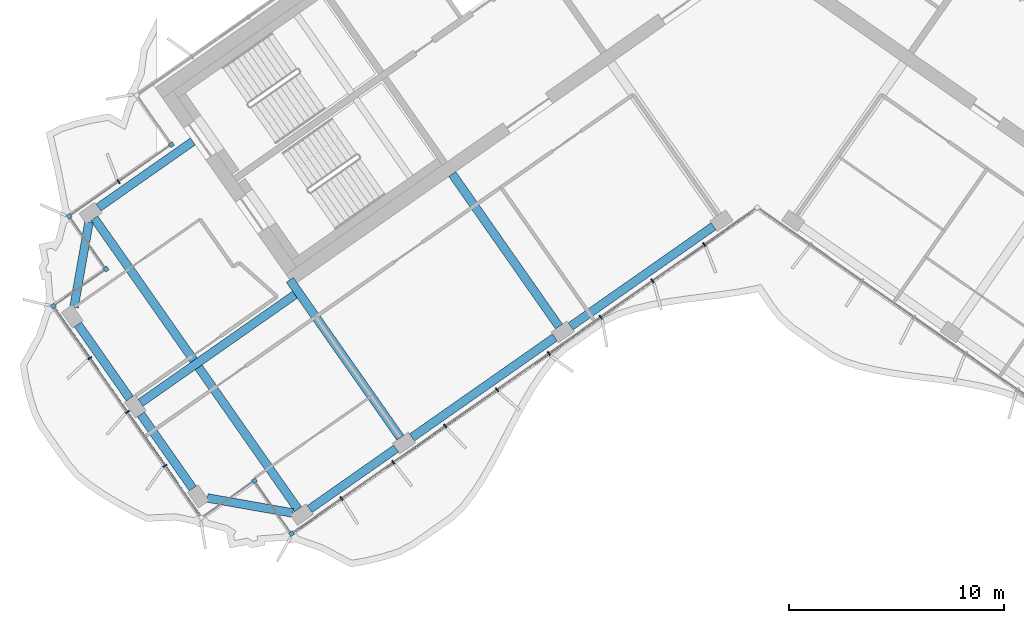
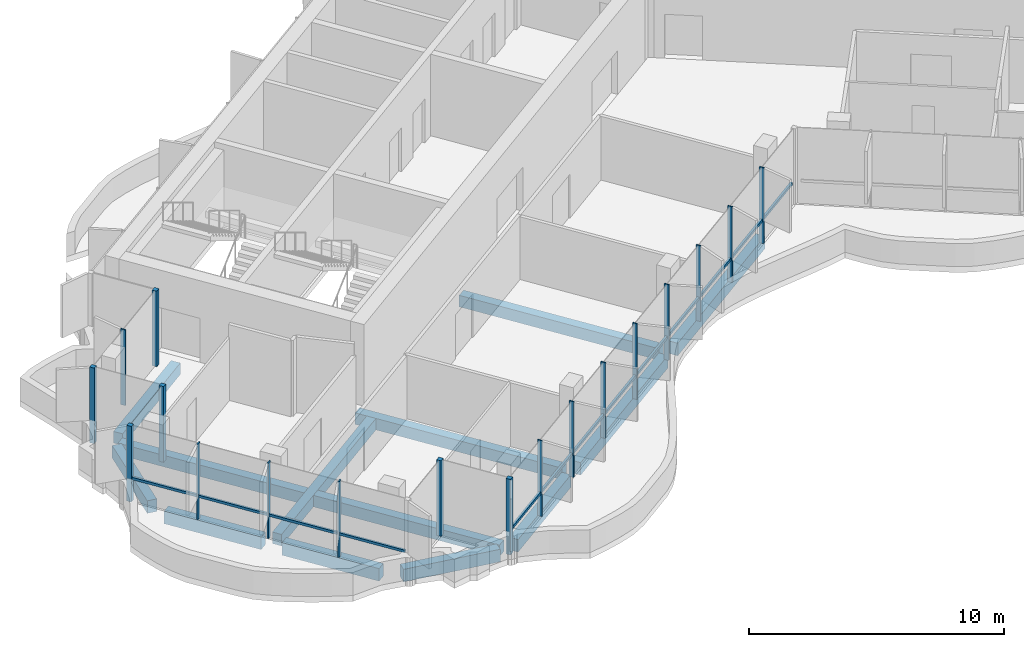
# One storey, part 2 of 18: 20 members, 12 beams, 2 elements without a shape of their own.
"""IFC4 building model written with IfcOpenShell, lengths in metres."""

import ifcopenshell
import ifcopenshell.guid

model = None  # the IFC model being written
_history = None  # IfcOwnerHistory: only IFC2X3 demands one
_inside = {}  # id of a spatial element -> (the spatial element, [elements in it])
_under = {}  # id of a project, library or spatial element -> (it, [spatial elements below it])
_declared = {}  # id of a project -> (the project, [libraries it declares])
_typed = {}  # id of a type object -> (the type object, [elements of that type])
_made_of = {}  # id of a material, layer set ... -> (it, [elements and type objects made of it])


def new_model(schema):
    """Start an empty IFC model of exactly this schema.

    Asked for "IFC4X3", IfcOpenShell would pick the latest addendum, in which some entities
    have other attributes; the version numbers below select the first issue.
    IFC2X3 requires an IfcOwnerHistory on every rooted entity: one is made here for all.
    """
    global model, _history
    if schema == "IFC4X3":
        model = ifcopenshell.file(schema_version=(4, 3, 0, 0))
    else:
        model = ifcopenshell.file(schema=schema)
    _inside.clear()
    _under.clear()
    _declared.clear()
    _typed.clear()
    _made_of.clear()
    _history = None
    if model.schema == "IFC2X3":
        org = make("IfcOrganization", Name="unknown")
        user = make(
            "IfcPersonAndOrganization",
            ThePerson=make("IfcPerson", FamilyName="unknown"),
            TheOrganization=org,
        )
        app = make(
            "IfcApplication",
            ApplicationDeveloper=org,
            Version="unknown",
            ApplicationFullName="unknown",
            ApplicationIdentifier="unknown",
        )
        _history = make(
            "IfcOwnerHistory",
            OwningUser=user,
            OwningApplication=app,
            ChangeAction="ADDED",
            CreationDate=0,
        )
    return model


def make(cls, **values):
    """One entity of the class cls with the attributes given. An attribute that is None is left unset."""
    return model.create_entity(
        cls, **{name: value for name, value in values.items() if value is not None}
    )


def rooted(cls, **values):
    """An entity with a GlobalId (a new one), such as an element, a storey or a relation."""
    return make(cls, GlobalId=ifcopenshell.guid.new(), OwnerHistory=_history, **values)


def si_unit(unit_type, name, prefix=None):
    """IfcSIUnit, for example si_unit("LENGTHUNIT", "METRE", prefix="MILLI")."""
    return make("IfcSIUnit", UnitType=unit_type, Prefix=prefix, Name=name)


def assignment(units):
    """IfcUnitAssignment: the units of a project."""
    return None if units is None else make("IfcUnitAssignment", Units=units)


def point(xyz):
    """IfcCartesianPoint."""
    return None if xyz is None else make("IfcCartesianPoint", Coordinates=xyz)


def direction(xyz):
    """IfcDirection."""
    return None if xyz is None else make("IfcDirection", DirectionRatios=xyz)


def frame(location, z_axis=None, x_axis=None):
    """IfcAxis2Placement3D, a coordinate frame: its origin and axes. An axis left out is left unset."""
    return make(
        "IfcAxis2Placement3D",
        Location=point(location),
        Axis=direction(z_axis),
        RefDirection=direction(x_axis),
    )


def frame_2d(location, x_axis=None):
    """IfcAxis2Placement2D, a coordinate frame in the plane: its origin and x axis."""
    return make(
        "IfcAxis2Placement2D", Location=point(location), RefDirection=direction(x_axis)
    )


def origin():
    """The frame at (0, 0, 0) with its axes left unset."""
    return frame((0.0, 0.0, 0.0))


def origin_2d():
    """The frame at (0, 0) in the plane with its x axis left unset."""
    return frame_2d((0.0, 0.0))


def place(relative_to, where):
    """IfcLocalPlacement: puts the frame where relative to a parent placement (None: the world)."""
    return make(
        "IfcLocalPlacement", PlacementRelTo=relative_to, RelativePlacement=where
    )


def context(
    kind, dimensions, precision=None, world=None, true_north=None, identifier=None
):
    """IfcGeometricRepresentationContext, for example the 3D "Model" context."""
    return make(
        "IfcGeometricRepresentationContext",
        ContextIdentifier=identifier,
        ContextType=kind,
        CoordinateSpaceDimension=dimensions,
        Precision=precision,
        WorldCoordinateSystem=world,
        TrueNorth=true_north,
    )


def subcontext(parent, identifier, kind, view, scale=None):
    """IfcGeometricRepresentationSubContext, for example "Body" below "Model"."""
    return make(
        "IfcGeometricRepresentationSubContext",
        ContextIdentifier=identifier,
        ContextType=kind,
        ParentContext=parent,
        TargetScale=scale,
        TargetView=view,
    )


def project(units=None, contexts=None):
    """IfcProject with its units and contexts."""
    return rooted(
        "IfcProject",
        Name="project",
        RepresentationContexts=contexts,
        UnitsInContext=assignment(units),
    )


def spatial(cls, under=None, at=None, **own):
    """A site, building, storey or space (cls), placed at a placement, below another one or the project."""
    s = rooted(cls, ObjectPlacement=at, **own)
    if under is not None:
        _under.setdefault(under.id(), (under, []))[1].append(s)
    return s


def profile(cls, at=None, kind="AREA", **sizes):
    """A parametric profile (cls). Its sizes go by their IFC names, for example OverallWidth=200.0."""
    return make(cls, ProfileType=kind, Position=at, **sizes)


def rectangle(**sizes):
    """IfcRectangleProfileDef."""
    return profile("IfcRectangleProfileDef", **sizes)


def extrude(swept, where, along, depth):
    """IfcExtrudedAreaSolid: the profile swept, set in the frame where, extruded along a direction by depth."""
    return make(
        "IfcExtrudedAreaSolid",
        SweptArea=swept,
        Position=where,
        ExtrudedDirection=direction(along),
        Depth=depth,
    )


def shape(context_of_items, identifier, shape_type, items):
    """IfcShapeRepresentation: the items that make up one representation, for example the "Body"."""
    return make(
        "IfcShapeRepresentation",
        ContextOfItems=context_of_items,
        RepresentationIdentifier=identifier,
        RepresentationType=shape_type,
        Items=items,
    )


def material(Name=None, Category=None):
    """IfcMaterial."""
    return make("IfcMaterial", Name=Name, Category=Category)


def material_profile(
    of_material, cross_section, Name=None, Category=None, Priority=None
):
    """IfcMaterialProfile: a cross section and its material."""
    return make(
        "IfcMaterialProfile",
        Name=Name,
        Material=of_material,
        Profile=cross_section,
        Priority=Priority,
        Category=Category,
    )


def profile_set(profiles, Name=None, composite=None):
    """IfcMaterialProfileSet."""
    return make(
        "IfcMaterialProfileSet",
        Name=Name,
        MaterialProfiles=profiles,
        CompositeProfile=composite,
    )


def made_of(thing, what):
    """Note that an element or type object is made of a material, layer set ...; save() writes the relation."""
    if what is not None:
        _made_of.setdefault(what.id(), (what, []))[1].append(thing)
    return thing


def type_object(cls, material=None, **own):
    """A type object (cls), such as IfcWallType, which elements share."""
    return made_of(rooted(cls, **own), material)


def element(
    cls,
    number,
    at=None,
    inside=None,
    cuts=None,
    type_object=None,
    material=None,
    context=None,
    identifier="Body",
    shape_type=None,
    held_by="IfcProductDefinitionShape",
    body=None,
    shapes=None,
    **own,
):
    """One element of the class cls, such as IfcWall. Its Tag is "e" and its number.

    at: its placement. inside: the storey or other place that contains it. cuts: it is an
    opening in that element (IfcRelVoidsElement). A single representation is given by context,
    identifier, shape_type and body (its items); several are given by shapes. held_by: the class
    of the entity that holds the representations. save() writes the other relations.
    """
    e = rooted(cls, Tag="e%d" % number, ObjectPlacement=at, **own)
    if body is not None:
        shapes = [shape(context, identifier, shape_type, body)]
    if shapes is not None:
        e.Representation = make(held_by, Representations=shapes)
    if inside is not None:
        _inside.setdefault(inside.id(), (inside, []))[1].append(e)
    if cuts is not None:
        rooted(
            "IfcRelVoidsElement", RelatingBuildingElement=cuts, RelatedOpeningElement=e
        )
    if type_object is not None:
        _typed.setdefault(type_object.id(), (type_object, []))[1].append(e)
    return made_of(e, material)


def aggregate(whole, parts):
    """IfcRelAggregates: a whole, such as a stair, and the parts it consists of."""
    return rooted("IfcRelAggregates", RelatingObject=whole, RelatedObjects=parts)


def save(model, path):
    """Write the relations noted so far, then the file.

    IfcRelAggregates (storeys below a building ...), IfcRelContainedInSpatialStructure (elements
    in a storey), IfcRelDefinesByType, IfcRelAssociatesMaterial and IfcRelDeclares: one each for
    every whole, place, type object, material and project.
    """
    for whole, parts in _under.values():
        aggregate(whole, parts)
    for where, things in _inside.values():
        rooted(
            "IfcRelContainedInSpatialStructure",
            RelatedElements=things,
            RelatingStructure=where,
        )
    for kind, things in _typed.values():
        rooted("IfcRelDefinesByType", RelatedObjects=things, RelatingType=kind)
    for what, things in _made_of.values():
        rooted("IfcRelAssociatesMaterial", RelatedObjects=things, RelatingMaterial=what)
    for by, libraries in _declared.values():
        rooted("IfcRelDeclares", RelatingContext=by, RelatedDefinitions=libraries)
    model.write(path)


model = new_model("IFC4")

# Units and contexts
model_context = context("Model", 3, precision=1e-05, world=origin(), true_north=direction((0.0, 1.0)))
body_context = subcontext(model_context, "Body", "Model", "MODEL_VIEW")
ifc_project = project(units=[si_unit("LENGTHUNIT", "METRE"), si_unit("AREAUNIT", "SQUARE_METRE"), si_unit("VOLUMEUNIT", "CUBIC_METRE"), si_unit("PLANEANGLEUNIT", "RADIAN"), si_unit("MASSUNIT", "GRAM", prefix="KILO")], contexts=[model_context])

# Site, building, storey
site_placement = place(None, origin())
site = spatial("IfcSite", under=ifc_project, at=site_placement, CompositionType="ELEMENT")
building_placement = place(site_placement, origin())
building = spatial("IfcBuilding", under=site, at=building_placement, Name="Tel Ilan Convention Tower", CompositionType="ELEMENT")
storey_placement = place(building_placement, frame((0.0, 0.0, 256.60009765625)))
storey = spatial("IfcBuildingStorey", under=building, at=storey_placement, Name="L60", CompositionType="ELEMENT", Elevation=256.60009765625)

# Beams
ifc_material_1 = material(Name="Concrete C40/50", Category="concrete")
ifc_material_profile_1 = material_profile(ifc_material_1, rectangle(XDim=0.39990234375, YDim=0.550048828125, at=origin_2d()), Name="RC 400x550")
ifc_profile_set_1 = profile_set([ifc_material_profile_1], Name="Concrete C40/50")
beam_type_1 = type_object("IfcBeamType", Name="Beam RC 400x550 Concrete C40/50", PredefinedType="BEAM", material=ifc_profile_set_1)
beam_1_placement = place(storey_placement, frame((-30.6005859375, -12.6982421875, -0.55517578125), z_axis=(0.819146154531, 0.573584847705, 0.0), x_axis=(-0.573584847705, 0.819146154531, 0.0)))
element("IfcBeam", 1, at=beam_1_placement, inside=storey, type_object=beam_type_1, Name="L60 beam W-W-BC-core", PredefinedType="BEAM", context=body_context, shape_type="SweptSolid", body=[
    extrude(rectangle(XDim=0.39990234375, YDim=0.550048828125, at=origin_2d()), origin(), (0.0, 0.0, 1.0), 5.349853515625),
])
beam_2_placement = place(storey_placement, frame((-9.209716796875, -18.229248046875, -0.55517578125), z_axis=(-0.573574099654, 0.819153680457, 0.0), x_axis=(-0.819153680457, -0.573574099654, 0.0)))
element("IfcBeam", 2, at=beam_2_placement, inside=storey, type_object=beam_type_1, Name="L60 beam W-W-F2-core", PredefinedType="BEAM", context=body_context, shape_type="SweptSolid", body=[
    extrude(rectangle(XDim=0.39990234375, YDim=0.550048828125, at=origin_2d()), origin(), (0.0, 0.0, 1.0), 8.64990234375),
])
beam_3_placement = place(storey_placement, frame((-16.58203125, -23.391357421875, -0.55517578125), z_axis=(-0.573584999642, 0.819146048141, 0.0), x_axis=(-0.819146048141, -0.573584999642, 0.0)))
element("IfcBeam", 3, at=beam_3_placement, inside=storey, type_object=beam_type_1, Name="L60 beam W-W-F3-core", PredefinedType="BEAM", context=body_context, shape_type="SweptSolid", body=[
    extrude(rectangle(XDim=0.39990234375, YDim=0.550048828125, at=origin_2d()), origin(), (0.0, 0.0, 1.0), 8.949951171875),
])
beam_4_placement = place(storey_placement, frame((-21.477783203125, -16.748046875, -0.55517578125), z_axis=(-0.819157197737, -0.573569076395, 0.0), x_axis=(0.573569076395, -0.819157197737, 0.0)))
element("IfcBeam", 4, at=beam_4_placement, inside=storey, type_object=beam_type_1, Name="L60 beam W-core-end", PredefinedType="BEAM", context=body_context, shape_type="SweptSolid", body=[
    extrude(rectangle(XDim=0.39990234375, YDim=0.550048828125, at=origin_2d()), origin(), (0.0, 0.0, 1.0), 8.75),
])
beam_5_placement = place(storey_placement, frame((-21.333251953125, -26.718017578125, -0.55517578125), z_axis=(-0.573574554643, 0.819153361872, 0.0), x_axis=(-0.819153361872, -0.573574554643, 0.0)))
element("IfcBeam", 5, at=beam_5_placement, inside=storey, type_object=beam_type_1, Name="L60 beam W-W-FC-W-BC", PredefinedType="BEAM", context=body_context, shape_type="SweptSolid", body=[
    extrude(rectangle(XDim=0.39990234375, YDim=0.550048828125, at=origin_2d()), origin(), (0.0, 0.0, 1.0), 16.499755859375),
])
ifc_material_2 = material(Name="Concrete C40/50", Category="concrete")
ifc_material_profile_2 = material_profile(ifc_material_2, rectangle(XDim=0.39990234375, YDim=0.60009765625, at=origin_2d()), Name="RC 400x600")
ifc_profile_set_2 = profile_set([ifc_material_profile_2], Name="Concrete C40/50")
beam_type_2 = type_object("IfcBeamType", Name="Beam RC 400x600 Concrete C40/50", PredefinedType="BEAM", material=ifc_profile_set_2)
beam_6_placement = place(storey_placement, frame((-2.033935546875, -13.57080078125, -0.580078125), z_axis=(-0.81914553362, -0.573585734437, 0.0), x_axis=(0.573585734437, -0.81914553362, 0.0)))
element("IfcBeam", 6, at=beam_6_placement, inside=storey, type_object=beam_type_2, Name="L60 beam W-W-F1-W-F2", PredefinedType="BEAM", context=body_context, shape_type="SweptSolid", body=[
    extrude(rectangle(XDim=0.39990234375, YDim=0.60009765625, at=origin_2d()), origin(), (0.0, 0.0, 1.0), 8.099853515625),
])
beam_7_placement = place(storey_placement, frame((-9.40625, -18.73291015625, -0.580078125), z_axis=(-0.819155449703, -0.573571572885, 0.0), x_axis=(0.573571572885, -0.819155449703, 0.0)))
element("IfcBeam", 7, at=beam_7_placement, inside=storey, type_object=beam_type_2, Name="L60 beam W-W-F2-W-F3", PredefinedType="BEAM", context=body_context, shape_type="SweptSolid", body=[
    extrude(rectangle(XDim=0.39990234375, YDim=0.60009765625, at=origin_2d()), origin(), (0.0, 0.0, 1.0), 8.10009765625),
])
beam_8_placement = place(storey_placement, frame((-16.778564453125, -23.895263671875, -0.580078125), z_axis=(-0.819154669329, -0.573572687386, 0.0), x_axis=(0.573572687386, -0.819154669329, 0.0)))
element("IfcBeam", 8, at=beam_8_placement, inside=storey, type_object=beam_type_2, Name="L60 beam W-W-F3-W-FC", PredefinedType="BEAM", context=body_context, shape_type="SweptSolid", body=[
    extrude(rectangle(XDim=0.39990234375, YDim=0.60009765625, at=origin_2d()), origin(), (0.0, 0.0, 1.0), 4.900146484375),
])
beam_9_placement = place(storey_placement, frame((-21.578857421875, -26.89013671875, -0.580078125), z_axis=(-0.984804894423, 0.173664388751, 0.0), x_axis=(-0.173664388751, -0.984804894423, 0.0)))
element("IfcBeam", 9, at=beam_9_placement, inside=storey, type_object=beam_type_2, Name="L60 beam W-W-FC-W-E1", PredefinedType="BEAM", context=body_context, shape_type="SweptSolid", body=[
    extrude(rectangle(XDim=0.39990234375, YDim=0.60009765625, at=origin_2d()), origin(), (0.0, 0.0, 1.0), 4.030517578125),
])
for number, where, z_axis, x_axis, name in (
    (10, (-26.22412109375, -25.748046875, -0.580078125), (-0.573563773994, 0.819160910421, 0.0), (-0.819160910421, -0.573563773994, 0.0), "L60 beam W-W-E1-W-E2"),
    (11, (-29.1494140625, -21.5703125, -0.580078125), (-0.573563773994, 0.819160910421, 0.0), (-0.819160910421, -0.573563773994, 0.0), "L60 beam W-W-E2-W-E3"),
):
    element("IfcBeam", number, at=place(storey_placement, frame(where, z_axis=z_axis, x_axis=x_axis)), inside=storey, type_object=beam_type_2, Name=name, PredefinedType="BEAM", context=body_context, shape_type="SweptSolid", body=[
        extrude(rectangle(XDim=0.39990234375, YDim=0.60009765625, at=origin_2d()), origin(), (0.0, 0.0, 1.0), 4.199951171875),
    ])
beam_10_placement = place(storey_placement, frame((-31.742919921875, -17.343505859375, -0.580078125), z_axis=(0.173664388751, 0.984804894423, 0.0), x_axis=(-0.984804894423, 0.173664388751, 0.0)))
element("IfcBeam", 12, at=beam_10_placement, inside=storey, type_object=beam_type_2, Name="L60 beam W-W-E3-W-BC", PredefinedType="BEAM", context=body_context, shape_type="SweptSolid", body=[
    extrude(rectangle(XDim=0.39990234375, YDim=0.60009765625, at=origin_2d()), origin(), (0.0, 0.0, 1.0), 4.030517578125),
])

# Curtain wall, member
ifc_material_3 = material(Name="Aluminium, bronze anodised", Category="aluminium")
curtain_wall_type_1 = type_object("IfcCurtainWallType", Name="CW2 STICK CURTAIN WALL, SPANDREL PANELS", PredefinedType="NOTDEFINED", material=ifc_material_3)
curtain_wall_1_placement = place(storey_placement, origin())
curtain_wall_1 = element("IfcCurtainWall", 13, at=curtain_wall_1_placement, inside=storey, type_object=curtain_wall_type_1, Name="Curtain wall CW2-46.01", PredefinedType="NOTDEFINED")
ifc_material_4 = material(Name="Aluminium, bronze anodised", Category="aluminium")
ifc_material_profile_3 = material_profile(ifc_material_4, rectangle(XDim=0.199951171875, YDim=0.199951171875, at=origin_2d()), Name="CW CORNER MULLION 200x200")
ifc_profile_set_3 = profile_set([ifc_material_profile_3], Name="Aluminium, bronze anodised")
member_type_1 = type_object("IfcMemberType", Name="CW CORNER MULLION 200x200", PredefinedType="MULLION", material=ifc_profile_set_3)
member_1_placement = place(storey_placement, frame((-27.213623046875, -9.77734375, 0.0), z_axis=(0.0, 0.0, 1.0), x_axis=(0.573576436351, -0.819152044289, 0.0)))
member_1 = element("IfcMember", 14, at=member_1_placement, type_object=member_type_1, Name="Corner mullion", PredefinedType="MULLION", context=body_context, shape_type="SweptSolid", body=[
    extrude(rectangle(XDim=0.199951171875, YDim=0.199951171875, at=origin_2d()), origin(), (0.0, 0.0, 1.0), 3.619873046875),
])
aggregate(curtain_wall_1, [member_1])

# Curtain wall, members
ifc_material_5 = material(Name="Aluminium, bronze anodised", Category="aluminium")
curtain_wall_type_2 = type_object("IfcCurtainWallType", Name="CW5 STICK CURTAIN WALL, UPPER OFFICE LOW-IRON TINTED GLASS", PredefinedType="NOTDEFINED", material=ifc_material_5)
curtain_wall_2_placement = place(storey_placement, origin())
curtain_wall_2 = element("IfcCurtainWall", 15, at=curtain_wall_2_placement, inside=storey, type_object=curtain_wall_type_2, Name="Curtain wall CW5-46.02", PredefinedType="NOTDEFINED")
member_2_placement = place(storey_placement, frame((-31.964599609375, -13.10400390625, 0.0), z_axis=(0.0, 0.0, 1.0), x_axis=(-0.819152044289, -0.573576436351, 0.0)))
member_2 = element("IfcMember", 16, at=member_2_placement, type_object=member_type_1, Name="Corner mullion", PredefinedType="MULLION", context=body_context, shape_type="SweptSolid", body=[
    extrude(rectangle(XDim=0.199951171875, YDim=0.199951171875, at=origin_2d()), origin(), (0.0, 0.0, 1.0), 3.619873046875),
])
member_3_placement = place(storey_placement, frame((-30.243896484375, -15.5615234375, 0.0), z_axis=(0.0, 0.0, 1.0), x_axis=(0.573576436351, -0.819152044289, 0.0)))
member_3 = element("IfcMember", 17, at=member_3_placement, type_object=member_type_1, Name="Corner mullion", PredefinedType="MULLION", context=body_context, shape_type="SweptSolid", body=[
    extrude(rectangle(XDim=0.199951171875, YDim=0.199951171875, at=origin_2d()), origin(), (0.0, 0.0, 1.0), 3.619873046875),
])
member_4_placement = place(storey_placement, frame((-32.701416015625, -17.2822265625, 0.0), z_axis=(0.0, 0.0, 1.0), x_axis=(-0.819152044289, -0.573576436351, 0.0)))
member_4 = element("IfcMember", 18, at=member_4_placement, type_object=member_type_1, Name="Corner mullion", PredefinedType="MULLION", context=body_context, shape_type="SweptSolid", body=[
    extrude(rectangle(XDim=0.199951171875, YDim=0.199951171875, at=origin_2d()), origin(), (0.0, 0.0, 1.0), 3.619873046875),
])
member_5_placement = place(storey_placement, frame((-23.36083984375, -25.391357421875, 0.0), z_axis=(0.0, 0.0, 1.0), x_axis=(0.819152044289, 0.573576436351, 0.0)))
member_5 = element("IfcMember", 19, at=member_5_placement, type_object=member_type_1, Name="Corner mullion", PredefinedType="MULLION", context=body_context, shape_type="SweptSolid", body=[
    extrude(rectangle(XDim=0.199951171875, YDim=0.199951171875, at=origin_2d()), origin(), (0.0, 0.0, 1.0), 3.619873046875),
])
member_6_placement = place(storey_placement, frame((-21.64013671875, -27.8486328125, 0.0), z_axis=(0.0, 0.0, 1.0), x_axis=(0.573576436351, -0.819152044289, 0.0)))
member_6 = element("IfcMember", 20, at=member_6_placement, type_object=member_type_1, Name="Corner mullion", PredefinedType="MULLION", context=body_context, shape_type="SweptSolid", body=[
    extrude(rectangle(XDim=0.199951171875, YDim=0.199951171875, at=origin_2d()), origin(), (0.0, 0.0, 1.0), 3.619873046875),
])
ifc_material_6 = material(Name="Aluminium, bronze anodised", Category="aluminium")
ifc_material_profile_4 = material_profile(ifc_material_6, rectangle(XDim=0.06005859375, YDim=0.199951171875, at=origin_2d()), Name="CW MULLION 60x200")
ifc_profile_set_4 = profile_set([ifc_material_profile_4], Name="Aluminium, bronze anodised")
member_type_2 = type_object("IfcMemberType", Name="CW MULLION 60x200", PredefinedType="MULLION", material=ifc_profile_set_4)
member_7_placement = place(storey_placement, frame((-29.6708984375, -11.498046875, 0.0), z_axis=(0.0, 0.0, 1.0), x_axis=(-0.819152044289, -0.573576436351, 0.0)))
member_7 = element("IfcMember", 21, at=member_7_placement, type_object=member_type_2, Name="Mullion", PredefinedType="MULLION", context=body_context, shape_type="SweptSolid", body=[
    extrude(rectangle(XDim=0.06005859375, YDim=0.199951171875, at=origin_2d()), origin(), (0.0, 0.0, 1.0), 3.619873046875),
])
member_8_placement = place(storey_placement, frame((-31.00927734375, -19.69873046875, 0.0), z_axis=(0.0, 0.0, 1.0), x_axis=(0.573576436351, -0.819152044289, 0.0)))
member_8 = element("IfcMember", 22, at=member_8_placement, type_object=member_type_2, Name="Mullion", PredefinedType="MULLION", context=body_context, shape_type="SweptSolid", body=[
    extrude(rectangle(XDim=0.06005859375, YDim=0.199951171875, at=origin_2d()), origin(), (0.0, 0.0, 1.0), 3.619873046875),
])
member_9_placement = place(storey_placement, frame((-29.259765625, -22.197021484375, 0.0), z_axis=(0.0, 0.0, 1.0), x_axis=(0.573576436351, -0.819152044289, 0.0)))
member_9 = element("IfcMember", 23, at=member_9_placement, type_object=member_type_2, Name="Mullion", PredefinedType="MULLION", context=body_context, shape_type="SweptSolid", body=[
    extrude(rectangle(XDim=0.06005859375, YDim=0.199951171875, at=origin_2d()), origin(), (0.0, 0.0, 1.0), 3.619873046875),
])
member_10_placement = place(storey_placement, frame((-27.510498046875, -24.695556640625, 0.0), z_axis=(0.0, 0.0, 1.0), x_axis=(0.573576436351, -0.819152044289, 0.0)))
member_10 = element("IfcMember", 24, at=member_10_placement, type_object=member_type_2, Name="Mullion", PredefinedType="MULLION", context=body_context, shape_type="SweptSolid", body=[
    extrude(rectangle(XDim=0.06005859375, YDim=0.199951171875, at=origin_2d()), origin(), (0.0, 0.0, 1.0), 3.619873046875),
])
member_11_placement = place(storey_placement, frame((-19.31494140625, -26.220458984375, 0.0), z_axis=(0.0, 0.0, 1.0), x_axis=(0.819152044289, 0.573576436351, 0.0)))
member_11 = element("IfcMember", 25, at=member_11_placement, type_object=member_type_2, Name="Mullion", PredefinedType="MULLION", context=body_context, shape_type="SweptSolid", body=[
    extrude(rectangle(XDim=0.06005859375, YDim=0.199951171875, at=origin_2d()), origin(), (0.0, 0.0, 1.0), 3.619873046875),
])
member_12_placement = place(storey_placement, frame((-16.90771484375, -24.534912109375, 0.0), z_axis=(0.0, 0.0, 1.0), x_axis=(0.819152044289, 0.573576436351, 0.0)))
member_12 = element("IfcMember", 26, at=member_12_placement, type_object=member_type_2, Name="Mullion", PredefinedType="MULLION", context=body_context, shape_type="SweptSolid", body=[
    extrude(rectangle(XDim=0.06005859375, YDim=0.199951171875, at=origin_2d()), origin(), (0.0, 0.0, 1.0), 3.619873046875),
])
member_13_placement = place(storey_placement, frame((-14.50048828125, -22.849365234375, 0.0), z_axis=(0.0, 0.0, 1.0), x_axis=(0.819152044289, 0.573576436351, 0.0)))
member_13 = element("IfcMember", 27, at=member_13_placement, type_object=member_type_2, Name="Mullion", PredefinedType="MULLION", context=body_context, shape_type="SweptSolid", body=[
    extrude(rectangle(XDim=0.06005859375, YDim=0.199951171875, at=origin_2d()), origin(), (0.0, 0.0, 1.0), 3.619873046875),
])
member_14_placement = place(storey_placement, frame((-12.09326171875, -21.163818359375, 0.0), z_axis=(0.0, 0.0, 1.0), x_axis=(0.819152044289, 0.573576436351, 0.0)))
member_14 = element("IfcMember", 28, at=member_14_placement, type_object=member_type_2, Name="Mullion", PredefinedType="MULLION", context=body_context, shape_type="SweptSolid", body=[
    extrude(rectangle(XDim=0.06005859375, YDim=0.199951171875, at=origin_2d()), origin(), (0.0, 0.0, 1.0), 3.619873046875),
])
member_15_placement = place(storey_placement, frame((-9.68603515625, -19.478271484375, 0.0), z_axis=(0.0, 0.0, 1.0), x_axis=(0.819152044289, 0.573576436351, 0.0)))
member_15 = element("IfcMember", 29, at=member_15_placement, type_object=member_type_2, Name="Mullion", PredefinedType="MULLION", context=body_context, shape_type="SweptSolid", body=[
    extrude(rectangle(XDim=0.06005859375, YDim=0.199951171875, at=origin_2d()), origin(), (0.0, 0.0, 1.0), 3.619873046875),
])
member_16_placement = place(storey_placement, frame((-7.279052734375, -17.792724609375, 0.0), z_axis=(0.0, 0.0, 1.0), x_axis=(0.819152044289, 0.573576436351, 0.0)))
member_16 = element("IfcMember", 30, at=member_16_placement, type_object=member_type_2, Name="Mullion", PredefinedType="MULLION", context=body_context, shape_type="SweptSolid", body=[
    extrude(rectangle(XDim=0.06005859375, YDim=0.199951171875, at=origin_2d()), origin(), (0.0, 0.0, 1.0), 3.619873046875),
])
member_17_placement = place(storey_placement, frame((-4.871826171875, -16.107177734375, 0.0), z_axis=(0.0, 0.0, 1.0), x_axis=(0.819152044289, 0.573576436351, 0.0)))
member_17 = element("IfcMember", 31, at=member_17_placement, type_object=member_type_2, Name="Mullion", PredefinedType="MULLION", context=body_context, shape_type="SweptSolid", body=[
    extrude(rectangle(XDim=0.06005859375, YDim=0.199951171875, at=origin_2d()), origin(), (0.0, 0.0, 1.0), 3.619873046875),
])
member_18_placement = place(storey_placement, frame((-2.464599609375, -14.421875, 0.0), z_axis=(0.0, 0.0, 1.0), x_axis=(0.819152044289, 0.573576436351, 0.0)))
member_18 = element("IfcMember", 32, at=member_18_placement, type_object=member_type_2, Name="Mullion", PredefinedType="MULLION", context=body_context, shape_type="SweptSolid", body=[
    extrude(rectangle(XDim=0.06005859375, YDim=0.199951171875, at=origin_2d()), origin(), (0.0, 0.0, 1.0), 3.619873046875),
])
ifc_material_7 = material(Name="Aluminium, bronze anodised", Category="aluminium")
ifc_material_profile_5 = material_profile(ifc_material_7, rectangle(XDim=0.10009765625, YDim=0.1201171875, at=origin_2d()), Name="CW TRANSOM 100x120")
ifc_profile_set_5 = profile_set([ifc_material_profile_5], Name="Aluminium, bronze anodised")
member_type_3 = type_object("IfcMemberType", Name="CW TRANSOM 100x120", PredefinedType="USERDEFINED", material=ifc_profile_set_5)
member_19_placement = place(storey_placement, frame((-32.64404296875, -17.364013671875, 1.099853515625), z_axis=(0.573581755582, -0.819148319698, 0.0), x_axis=(0.819148319698, 0.573581755582, 0.0)))
member_19 = element("IfcMember", 33, at=member_19_placement, type_object=member_type_3, Name="Transom", ObjectType="TRANSOM", PredefinedType="USERDEFINED", context=body_context, shape_type="SweptSolid", body=[
    extrude(rectangle(XDim=0.10009765625, YDim=0.1201171875, at=origin_2d()), origin(), (0.0, 0.0, 1.0), 11.800048828125),
])
member_20_placement = place(storey_placement, frame((-21.558349609375, -27.791259765625, 1.099853515625), z_axis=(0.819152212587, 0.573576195996, 0.0), x_axis=(-0.573576195996, 0.819152212587, 0.0)))
member_20 = element("IfcMember", 34, at=member_20_placement, type_object=member_type_3, Name="Transom", ObjectType="TRANSOM", PredefinedType="USERDEFINED", context=body_context, shape_type="SweptSolid", body=[
    extrude(rectangle(XDim=0.10009765625, YDim=0.1201171875, at=origin_2d()), origin(), (0.0, 0.0, 1.0), 26.0478515625),
])
aggregate(curtain_wall_2, [member_7, member_2, member_3, member_4, member_8, member_9, member_10, member_19, member_5, member_6, member_11, member_12, member_13, member_14, member_15, member_16, member_17, member_18, member_20])

save(model, "model.ifc")
